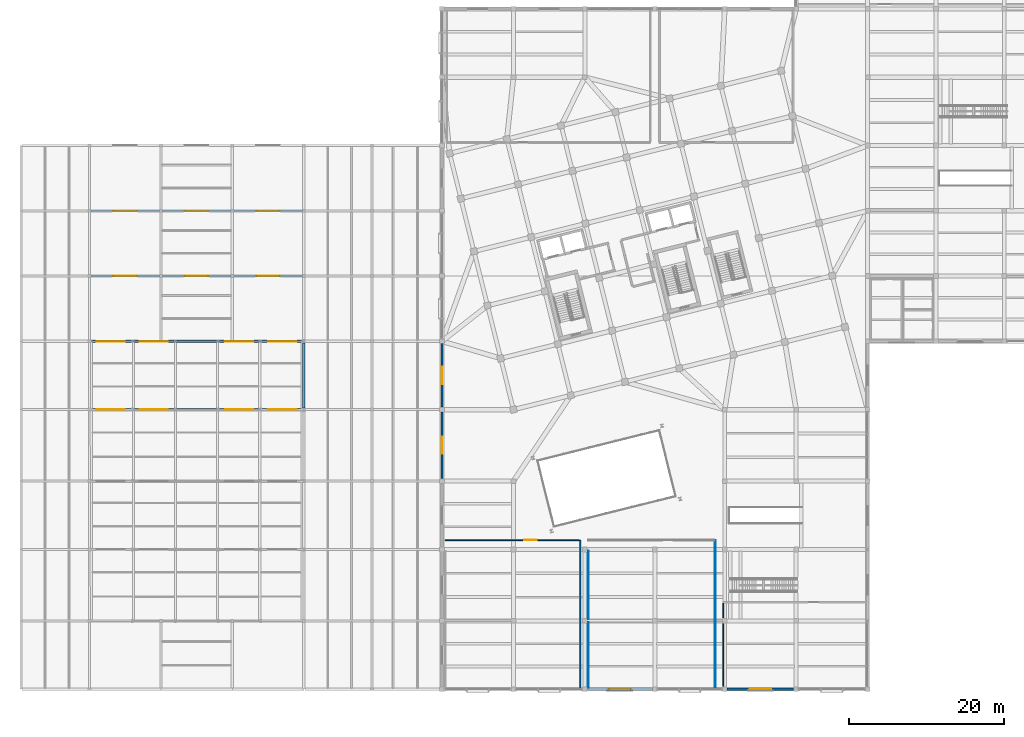
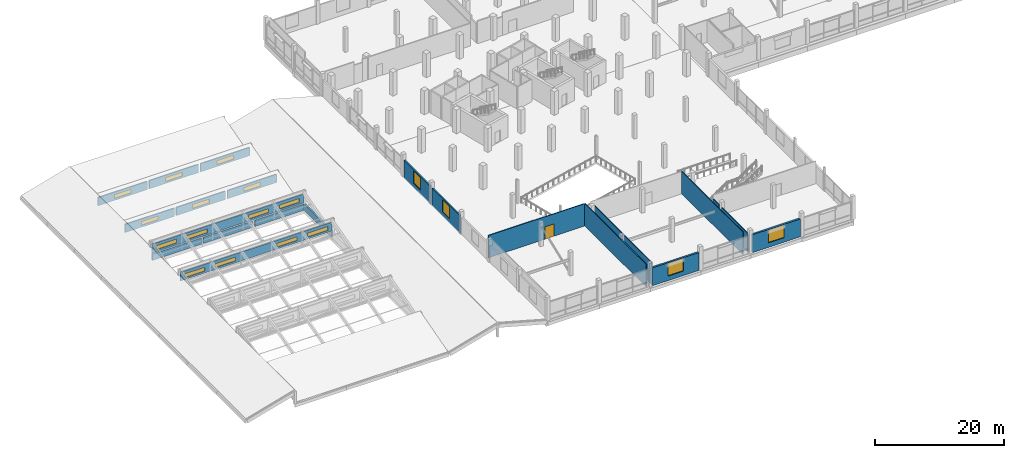
# One storey, part 65 of 77: 23 walls, 18 windows, 1 door, 19 openings.
"""IFC4 building model written with IfcOpenShell, lengths in metres."""

from ifc_helpers import new_model, si_unit, direction, frame, frame_2d, origin, place, context, subcontext, project, spatial, rectangle, extrude, material, layer, layer_set, type_object, element, fill, save


model = new_model("IFC4")

# Units and contexts
model_context = context("Model", 3, precision=1e-05, world=origin(), true_north=direction((0.0, 1.0)))
body_context = subcontext(model_context, "Body", "Model", "MODEL_VIEW")
ifc_project = project(units=[si_unit("LENGTHUNIT", "METRE"), si_unit("AREAUNIT", "SQUARE_METRE"), si_unit("VOLUMEUNIT", "CUBIC_METRE"), si_unit("PLANEANGLEUNIT", "RADIAN"), si_unit("MASSUNIT", "GRAM", prefix="KILO")], contexts=[model_context])

# Site, building, storey
site_placement = place(None, origin())
site = spatial("IfcSite", under=ifc_project, at=site_placement, CompositionType="ELEMENT")
building_placement = place(site_placement, origin())
building = spatial("IfcBuilding", under=site, at=building_placement, Name="Meriwether Solvik Hall", CompositionType="ELEMENT")
storey_placement = place(building_placement, frame((0.0, 0.0, 9.89990234375)))
storey = spatial("IfcBuildingStorey", under=building, at=storey_placement, Name="L02", CompositionType="ELEMENT", Elevation=9.89990234375)

# Wall, opening, window
ifc_material_1 = material(Name="Terracotta Cladding on Concrete C40/50", Category="masonry")
ifc_layer_1 = layer(ifc_material_1, 0.2548828125)
ifc_layer_set_1 = layer_set([ifc_layer_1], Name="Terracotta Cladding on Concrete C40/50")
wall_type_1 = type_object("IfcWallType", Name="WALL-EXT-255", PredefinedType="SOLIDWALL", material=ifc_layer_set_1)
wall_1_placement = place(storey_placement, frame((59.39990234375, 32.31201171875, 0.0), z_axis=(0.0, 0.0, 1.0), x_axis=(0.0, 1.0, 0.0)))
wall_1 = element("IfcWall", 1, at=wall_1_placement, inside=storey, type_object=wall_type_1, Name="L02 W Wing Facade Wall Y7_4_27", PredefinedType="SOLIDWALL", context=body_context, shape_type="SweptSolid", body=[
    extrude(rectangle(XDim=8.575927734375, YDim=0.2548828125, at=frame_2d((4.2880859375, 0.0))), origin(), (0.0, 0.0, 1.0), 3.39501953125),
])
opening_1_placement = place(wall_1_placement, frame((3.18798828125, 0.0, 0.85009765625)))
opening_1 = element("IfcOpeningElement", 2, at=opening_1_placement, cuts=wall_1, Name="Opening WN-175", PredefinedType="OPENING", context=body_context, shape_type="SweptSolid", body=[
    extrude(rectangle(XDim=2.199951171875, YDim=2.300048828125, at=frame_2d((1.10009765625, 1.14990234375))), frame((0.0, 0.139404296875, 0.0), z_axis=(0.0, -1.0, 0.0), x_axis=(1.0, 0.0, 0.0)), (0.0, 0.0, 1.0), 0.27880859375),
])
ifc_material_2 = material(Name="Thermally Broken Anodised Aluminium and Triple Low-E Glass", Category="aluminium")
window_type_1 = type_object("IfcWindowType", Name="WIN-POD-WEST-220X230", PartitioningType="SINGLE_PANEL", PredefinedType="WINDOW", material=ifc_material_2)
window_1_placement = place(opening_1_placement, origin())
window_1 = element("IfcWindow", 3, at=window_1_placement, inside=storey, type_object=window_type_1, Name="L02 W Window Y7_4_27", OverallHeight=2.300048828125, OverallWidth=2.199951171875, PartitioningType="SINGLE_PANEL", PredefinedType="WINDOW", context=body_context, shape_type="SweptSolid", body=[
    extrude(rectangle(XDim=2.199951171875, YDim=2.300048828125, at=frame_2d((1.10009765625, 1.14990234375))), frame((0.0, 0.030029296875, 0.0), z_axis=(0.0, -1.0, 0.0), x_axis=(1.0, 0.0, 0.0)), (0.0, 0.0, 1.0), 0.06005859375),
])
fill(opening_1, window_1)

wall_2_placement = place(storey_placement, frame((59.39990234375, 41.511962890625, 0.0), z_axis=(0.0, 0.0, 1.0), x_axis=(0.0, 1.0, 0.0)))
wall_2 = element("IfcWall", 4, at=wall_2_placement, inside=storey, type_object=wall_type_1, Name="L02 W Wing Facade Wall Y7_5_28", PredefinedType="SOLIDWALL", context=body_context, shape_type="SweptSolid", body=[
    extrude(rectangle(XDim=8.176025390625, YDim=0.2548828125, at=frame_2d((4.087890625, 0.0))), origin(), (0.0, 0.0, 1.0), 3.39501953125),
])
opening_2_placement = place(wall_2_placement, frame((2.988037109375, 0.0, 0.85009765625)))
opening_2 = element("IfcOpeningElement", 5, at=opening_2_placement, cuts=wall_2, Name="Opening WN-175", PredefinedType="OPENING", context=body_context, shape_type="SweptSolid", body=[
    extrude(rectangle(XDim=2.199951171875, YDim=2.300048828125, at=frame_2d((1.10009765625, 1.14990234375))), frame((0.0, 0.139404296875, 0.0), z_axis=(0.0, -1.0, 0.0), x_axis=(1.0, 0.0, 0.0)), (0.0, 0.0, 1.0), 0.27880859375),
])
window_2_placement = place(opening_2_placement, origin())
window_2 = element("IfcWindow", 6, at=window_2_placement, inside=storey, type_object=window_type_1, Name="L02 W Window Y7_5_28", OverallHeight=2.300048828125, OverallWidth=2.199951171875, PartitioningType="SINGLE_PANEL", PredefinedType="WINDOW", context=body_context, shape_type="SweptSolid", body=[
    extrude(rectangle(XDim=2.199951171875, YDim=2.300048828125, at=frame_2d((1.10009765625, 1.14990234375))), frame((0.0, 0.030029296875, 0.0), z_axis=(0.0, -1.0, 0.0), x_axis=(1.0, 0.0, 0.0)), (0.0, 0.0, 1.0), 0.06005859375),
])
fill(opening_2, window_2)

# Walls
ifc_material_3 = material(Name="Cross-Laminated Timber and Mineral-Wool Insulation", Category="wood")
ifc_layer_2 = layer(ifc_material_3, 0.2900390625)
ifc_layer_set_2 = layer_set([ifc_layer_2], Name="Cross-Laminated Timber and Mineral-Wool Insulation")
wall_type_2 = type_object("IfcWallType", Name="WALL-EXT-290", PredefinedType="SOLIDWALL", material=ifc_layer_set_2)
for number, where, z_axis, x_axis, name in (
    (7, (14.18994140625, 50.0, 0.0), (0.0, 0.0, 1.0), (1.0, 0.0, 0.0), "Sanctuary Clerestory Wall N1"),
    (8, (23.389892578125, 50.0, 0.0), (0.0, 0.0, 1.0), (1.0, 0.0, 0.0), "Sanctuary Clerestory Wall N2"),
):
    element("IfcWall", number, at=place(storey_placement, frame(where, z_axis=z_axis, x_axis=x_axis)), inside=storey, type_object=wall_type_2, Name=name, PredefinedType="SOLIDWALL", context=body_context, shape_type="SweptSolid", body=[
        extrude(rectangle(XDim=8.820068359375, YDim=0.2900390625, at=frame_2d((4.41015625, 0.0))), origin(), (0.0, 0.0, 1.0), 1.2001953125),
    ])
wall_3_placement = place(storey_placement, frame((32.590087890625, 50.0, 0.0), z_axis=(0.0, 0.0, 1.0), x_axis=(1.0, 0.0, 0.0)))
element("IfcWall", 9, at=wall_3_placement, inside=storey, type_object=wall_type_2, Name="Sanctuary Clerestory Wall N3", PredefinedType="SOLIDWALL", context=body_context, shape_type="SweptSolid", body=[
    extrude(rectangle(XDim=8.81982421875, YDim=0.2900390625, at=frame_2d((4.409912109375, 0.0))), origin(), (0.0, 0.0, 1.0), 1.2001953125),
])
wall_4_placement = place(storey_placement, frame((41.60009765625, 41.389892578125, 0.0), z_axis=(0.0, 0.0, 1.0), x_axis=(0.0, 1.0, 0.0)))
element("IfcWall", 10, at=wall_4_placement, inside=storey, type_object=wall_type_2, Name="Sanctuary Clerestory Wall E4", PredefinedType="SOLIDWALL", context=body_context, shape_type="SweptSolid", body=[
    extrude(rectangle(XDim=8.420166015625, YDim=0.2900390625, at=frame_2d((4.2099609375, 0.0))), origin(), (0.0, 0.0, 1.0), 1.2001953125),
])

# Wall, opening, window
ifc_material_4 = material(Name="Concrete C40/50 Precast", Category="concrete")
ifc_layer_3 = layer(ifc_material_4, 0.340087890625)
ifc_layer_set_3 = layer_set([ifc_layer_3], Name="Concrete C40/50 Precast")
wall_type_3 = type_object("IfcWallType", Name="WALL-EXT-340", PredefinedType="SOLIDWALL", material=ifc_layer_set_3)
wall_5_placement = place(storey_placement, frame((86.488037109375, 5.199951171875, 0.0), z_axis=(0.0, 0.0, 1.0), x_axis=(-1.0, 0.0, 0.0)))
wall_5 = element("IfcWall", 11, at=wall_5_placement, inside=storey, type_object=wall_type_3, Name="L02 S Wing Facade Wall XA_9_2", PredefinedType="SOLIDWALL", context=body_context, shape_type="SweptSolid", body=[
    extrude(rectangle(XDim=8.3759765625, YDim=0.340087890625, at=frame_2d((4.18798828125, 0.0))), origin(), (0.0, 0.0, 1.0), 3.39501953125),
])
opening_3_placement = place(wall_5_placement, frame((2.7880859375, 0.0, 0.85009765625)))
opening_3 = element("IfcOpeningElement", 12, at=opening_3_placement, cuts=wall_5, Name="Opening WN-165", PredefinedType="OPENING", context=body_context, shape_type="SweptSolid", body=[
    extrude(rectangle(XDim=2.800048828125, YDim=2.449951171875, at=frame_2d((1.39990234375, 1.22509765625))), frame((0.0, 0.18212890625, 0.0), z_axis=(0.0, -1.0, 0.0), x_axis=(1.0, 0.0, 0.0)), (0.0, 0.0, 1.0), 0.364013671875),
])
ifc_material_5 = material(Name="Thermally Broken Anodised Aluminium and Triple Low-E Glass", Category="aluminium")
window_type_2 = type_object("IfcWindowType", Name="WIN-POD-SOUTH-280X245", PartitioningType="SINGLE_PANEL", PredefinedType="WINDOW", material=ifc_material_5)
window_3_placement = place(opening_3_placement, origin())
window_3 = element("IfcWindow", 13, at=window_3_placement, inside=storey, type_object=window_type_2, Name="L02 S Window XA_9_2", OverallHeight=2.449951171875, OverallWidth=2.800048828125, PartitioningType="SINGLE_PANEL", PredefinedType="WINDOW", context=body_context, shape_type="SweptSolid", body=[
    extrude(rectangle(XDim=2.800048828125, YDim=2.449951171875, at=frame_2d((1.39990234375, 1.22509765625))), frame((0.0, 0.030029296875, 0.0), z_axis=(0.0, -1.0, 0.0), x_axis=(1.0, 0.0, 0.0)), (0.0, 0.0, 1.0), 0.06005859375),
])
fill(opening_3, window_3)

wall_6_placement = place(storey_placement, frame((104.68798828125, 5.199951171875, 0.0), z_axis=(0.0, 0.0, 1.0), x_axis=(-1.0, 0.0, 0.0)))
wall_6 = element("IfcWall", 14, at=wall_6_placement, inside=storey, type_object=wall_type_3, Name="L02 S Wing Facade Wall XA_11_4", PredefinedType="SOLIDWALL", context=body_context, shape_type="SweptSolid", body=[
    extrude(rectangle(XDim=8.575927734375, YDim=0.340087890625, at=frame_2d((4.2880859375, 0.0))), origin(), (0.0, 0.0, 1.0), 3.39501953125),
])
opening_4_placement = place(wall_6_placement, frame((2.887939453125, 0.0, 0.85009765625)))
opening_4 = element("IfcOpeningElement", 15, at=opening_4_placement, cuts=wall_6, Name="Opening WN-165", PredefinedType="OPENING", context=body_context, shape_type="SweptSolid", body=[
    extrude(rectangle(XDim=2.800048828125, YDim=2.449951171875, at=frame_2d((1.39990234375, 1.22509765625))), frame((0.0, 0.18212890625, 0.0), z_axis=(0.0, -1.0, 0.0), x_axis=(1.0, 0.0, 0.0)), (0.0, 0.0, 1.0), 0.364013671875),
])
window_4_placement = place(opening_4_placement, origin())
window_4 = element("IfcWindow", 16, at=window_4_placement, inside=storey, type_object=window_type_2, Name="L02 S Window XA_11_4", OverallHeight=2.449951171875, OverallWidth=2.800048828125, PartitioningType="SINGLE_PANEL", PredefinedType="WINDOW", context=body_context, shape_type="SweptSolid", body=[
    extrude(rectangle(XDim=2.800048828125, YDim=2.449951171875, at=frame_2d((1.39990234375, 1.22509765625))), frame((0.0, 0.030029296875, 0.0), z_axis=(0.0, -1.0, 0.0), x_axis=(1.0, 0.0, 0.0)), (0.0, 0.0, 1.0), 0.06005859375),
])
fill(opening_4, window_4)

ifc_material_6 = material(Name="Cross-Laminated Timber and Polyisocyanurate Insulation", Category="wood")
ifc_layer_4 = layer(ifc_material_6, 0.22998046875)
ifc_layer_set_4 = layer_set([ifc_layer_4], Name="Cross-Laminated Timber and Polyisocyanurate Insulation")
wall_type_4 = type_object("IfcWallType", Name="WALL-MON-230", PredefinedType="SOLIDWALL", material=ifc_layer_set_4)
wall_7_placement = place(storey_placement, frame((23.010009765625, 58.39990234375, 0.175048828125), z_axis=(0.0, 0.0, 1.0), x_axis=(-1.0, 0.0, 0.0)))
wall_7 = element("IfcWall", 17, at=wall_7_placement, inside=storey, type_object=wall_type_4, Name="Sawtooth Monitor Clerestory Wall w1_north_s1_b1", PredefinedType="SOLIDWALL", context=body_context, shape_type="SweptSolid", body=[
    extrude(rectangle(XDim=8.820068359375, YDim=0.22998046875, at=frame_2d((4.41015625, 0.0))), origin(), (0.0, 0.0, 1.0), 1.555908203125),
])
opening_5_placement = place(wall_7_placement, frame((2.909912109375, 0.0, 0.35009765625)))
opening_5 = element("IfcOpeningElement", 18, at=opening_5_placement, cuts=wall_7, Name="Opening SK-164", PredefinedType="OPENING", context=body_context, shape_type="SweptSolid", body=[
    extrude(rectangle(XDim=3.0, YDim=0.75, at=frame_2d((1.5, 0.375))), frame((0.0, 0.126953125, 0.0), z_axis=(0.0, -1.0, 0.0), x_axis=(1.0, 0.0, 0.0)), (0.0, 0.0, 1.0), 0.25390625),
])
ifc_material_7 = material(Name="Thermally Broken Anodised Aluminium and Triple Low-E Glass", Category="aluminium")
window_type_3 = type_object("IfcWindowType", Name="SKY-MON-300X075", PartitioningType="SINGLE_PANEL", PredefinedType="SKYLIGHT", material=ifc_material_7)
window_5_placement = place(opening_5_placement, origin())
window_5 = element("IfcWindow", 19, at=window_5_placement, inside=storey, type_object=window_type_3, Name="Sawtooth Northlight Skylight w1_north_s1_b1-1", OverallHeight=0.75, OverallWidth=3.0, PartitioningType="SINGLE_PANEL", PredefinedType="SKYLIGHT", context=body_context, shape_type="SweptSolid", body=[
    extrude(rectangle(XDim=3.0, YDim=0.75, at=frame_2d((1.5, 0.375))), frame((0.0, 0.030029296875, 0.0), z_axis=(0.0, -1.0, 0.0), x_axis=(1.0, 0.0, 0.0)), (0.0, 0.0, 1.0), 0.06005859375),
])
fill(opening_5, window_5)

wall_8_placement = place(storey_placement, frame((32.2099609375, 58.39990234375, 0.175048828125), z_axis=(0.0, 0.0, 1.0), x_axis=(-1.0, 0.0, 0.0)))
wall_8 = element("IfcWall", 20, at=wall_8_placement, inside=storey, type_object=wall_type_4, Name="Sawtooth Monitor Clerestory Wall w1_north_s1_b2", PredefinedType="SOLIDWALL", context=body_context, shape_type="SweptSolid", body=[
    extrude(rectangle(XDim=8.820068359375, YDim=0.22998046875, at=frame_2d((4.41015625, 0.0))), origin(), (0.0, 0.0, 1.0), 1.555908203125),
])
opening_6_placement = place(wall_8_placement, frame((2.909912109375, 0.0, 0.35009765625)))
opening_6 = element("IfcOpeningElement", 21, at=opening_6_placement, cuts=wall_8, Name="Opening SK-164", PredefinedType="OPENING", context=body_context, shape_type="SweptSolid", body=[
    extrude(rectangle(XDim=3.0, YDim=0.75, at=frame_2d((1.5, 0.375))), frame((0.0, 0.126953125, 0.0), z_axis=(0.0, -1.0, 0.0), x_axis=(1.0, 0.0, 0.0)), (0.0, 0.0, 1.0), 0.25390625),
])
window_6_placement = place(opening_6_placement, origin())
window_6 = element("IfcWindow", 22, at=window_6_placement, inside=storey, type_object=window_type_3, Name="Sawtooth Northlight Skylight w1_north_s1_b2-1", OverallHeight=0.75, OverallWidth=3.0, PartitioningType="SINGLE_PANEL", PredefinedType="SKYLIGHT", context=body_context, shape_type="SweptSolid", body=[
    extrude(rectangle(XDim=3.0, YDim=0.75, at=frame_2d((1.5, 0.375))), frame((0.0, 0.030029296875, 0.0), z_axis=(0.0, -1.0, 0.0), x_axis=(1.0, 0.0, 0.0)), (0.0, 0.0, 1.0), 0.06005859375),
])
fill(opening_6, window_6)

wall_9_placement = place(storey_placement, frame((41.409912109375, 58.39990234375, 0.175048828125), z_axis=(0.0, 0.0, 1.0), x_axis=(-1.0, 0.0, 0.0)))
wall_9 = element("IfcWall", 23, at=wall_9_placement, inside=storey, type_object=wall_type_4, Name="Sawtooth Monitor Clerestory Wall w1_north_s1_b3", PredefinedType="SOLIDWALL", context=body_context, shape_type="SweptSolid", body=[
    extrude(rectangle(XDim=8.81982421875, YDim=0.22998046875, at=frame_2d((4.409912109375, 0.0))), origin(), (0.0, 0.0, 1.0), 1.555908203125),
])
opening_7_placement = place(wall_9_placement, frame((2.909912109375, 0.0, 0.35009765625)))
opening_7 = element("IfcOpeningElement", 24, at=opening_7_placement, cuts=wall_9, Name="Opening SK-164", PredefinedType="OPENING", context=body_context, shape_type="SweptSolid", body=[
    extrude(rectangle(XDim=3.0, YDim=0.75, at=frame_2d((1.5, 0.375))), frame((0.0, 0.126953125, 0.0), z_axis=(0.0, -1.0, 0.0), x_axis=(1.0, 0.0, 0.0)), (0.0, 0.0, 1.0), 0.25390625),
])
window_7_placement = place(opening_7_placement, origin())
window_7 = element("IfcWindow", 25, at=window_7_placement, inside=storey, type_object=window_type_3, Name="Sawtooth Northlight Skylight w1_north_s1_b3-1", OverallHeight=0.75, OverallWidth=3.0, PartitioningType="SINGLE_PANEL", PredefinedType="SKYLIGHT", context=body_context, shape_type="SweptSolid", body=[
    extrude(rectangle(XDim=3.0, YDim=0.75, at=frame_2d((1.5, 0.375))), frame((0.0, 0.030029296875, 0.0), z_axis=(0.0, -1.0, 0.0), x_axis=(1.0, 0.0, 0.0)), (0.0, 0.0, 1.0), 0.06005859375),
])
fill(opening_7, window_7)

wall_10_placement = place(storey_placement, frame((23.010009765625, 66.800048828125, 0.175048828125), z_axis=(0.0, 0.0, 1.0), x_axis=(-1.0, 0.0, 0.0)))
wall_10 = element("IfcWall", 26, at=wall_10_placement, inside=storey, type_object=wall_type_4, Name="Sawtooth Monitor Clerestory Wall w1_north_s2_b1", PredefinedType="SOLIDWALL", context=body_context, shape_type="SweptSolid", body=[
    extrude(rectangle(XDim=8.820068359375, YDim=0.22998046875, at=frame_2d((4.41015625, 0.0))), origin(), (0.0, 0.0, 1.0), 1.555908203125),
])
opening_8_placement = place(wall_10_placement, frame((2.909912109375, 0.0, 0.35009765625)))
opening_8 = element("IfcOpeningElement", 27, at=opening_8_placement, cuts=wall_10, Name="Opening SK-164", PredefinedType="OPENING", context=body_context, shape_type="SweptSolid", body=[
    extrude(rectangle(XDim=3.0, YDim=0.75, at=frame_2d((1.5, 0.375))), frame((0.0, 0.126953125, 0.0), z_axis=(0.0, -1.0, 0.0), x_axis=(1.0, 0.0, 0.0)), (0.0, 0.0, 1.0), 0.25390625),
])
window_8_placement = place(opening_8_placement, origin())
window_8 = element("IfcWindow", 28, at=window_8_placement, inside=storey, type_object=window_type_3, Name="Sawtooth Northlight Skylight w1_north_s2_b1-1", OverallHeight=0.75, OverallWidth=3.0, PartitioningType="SINGLE_PANEL", PredefinedType="SKYLIGHT", context=body_context, shape_type="SweptSolid", body=[
    extrude(rectangle(XDim=3.0, YDim=0.75, at=frame_2d((1.5, 0.375))), frame((0.0, 0.030029296875, 0.0), z_axis=(0.0, -1.0, 0.0), x_axis=(1.0, 0.0, 0.0)), (0.0, 0.0, 1.0), 0.06005859375),
])
fill(opening_8, window_8)

wall_11_placement = place(storey_placement, frame((32.2099609375, 66.800048828125, 0.175048828125), z_axis=(0.0, 0.0, 1.0), x_axis=(-1.0, 0.0, 0.0)))
wall_11 = element("IfcWall", 29, at=wall_11_placement, inside=storey, type_object=wall_type_4, Name="Sawtooth Monitor Clerestory Wall w1_north_s2_b2", PredefinedType="SOLIDWALL", context=body_context, shape_type="SweptSolid", body=[
    extrude(rectangle(XDim=8.820068359375, YDim=0.22998046875, at=frame_2d((4.41015625, 0.0))), origin(), (0.0, 0.0, 1.0), 1.555908203125),
])
opening_9_placement = place(wall_11_placement, frame((2.909912109375, 0.0, 0.35009765625)))
opening_9 = element("IfcOpeningElement", 30, at=opening_9_placement, cuts=wall_11, Name="Opening SK-164", PredefinedType="OPENING", context=body_context, shape_type="SweptSolid", body=[
    extrude(rectangle(XDim=3.0, YDim=0.75, at=frame_2d((1.5, 0.375))), frame((0.0, 0.126953125, 0.0), z_axis=(0.0, -1.0, 0.0), x_axis=(1.0, 0.0, 0.0)), (0.0, 0.0, 1.0), 0.25390625),
])
window_9_placement = place(opening_9_placement, origin())
window_9 = element("IfcWindow", 31, at=window_9_placement, inside=storey, type_object=window_type_3, Name="Sawtooth Northlight Skylight w1_north_s2_b2-1", OverallHeight=0.75, OverallWidth=3.0, PartitioningType="SINGLE_PANEL", PredefinedType="SKYLIGHT", context=body_context, shape_type="SweptSolid", body=[
    extrude(rectangle(XDim=3.0, YDim=0.75, at=frame_2d((1.5, 0.375))), frame((0.0, 0.030029296875, 0.0), z_axis=(0.0, -1.0, 0.0), x_axis=(1.0, 0.0, 0.0)), (0.0, 0.0, 1.0), 0.06005859375),
])
fill(opening_9, window_9)

wall_12_placement = place(storey_placement, frame((41.409912109375, 66.800048828125, 0.175048828125), z_axis=(0.0, 0.0, 1.0), x_axis=(-1.0, 0.0, 0.0)))
wall_12 = element("IfcWall", 32, at=wall_12_placement, inside=storey, type_object=wall_type_4, Name="Sawtooth Monitor Clerestory Wall w1_north_s2_b3", PredefinedType="SOLIDWALL", context=body_context, shape_type="SweptSolid", body=[
    extrude(rectangle(XDim=8.81982421875, YDim=0.22998046875, at=frame_2d((4.409912109375, 0.0))), origin(), (0.0, 0.0, 1.0), 1.555908203125),
])
opening_10_placement = place(wall_12_placement, frame((2.909912109375, 0.0, 0.35009765625)))
opening_10 = element("IfcOpeningElement", 33, at=opening_10_placement, cuts=wall_12, Name="Opening SK-164", PredefinedType="OPENING", context=body_context, shape_type="SweptSolid", body=[
    extrude(rectangle(XDim=3.0, YDim=0.75, at=frame_2d((1.5, 0.375))), frame((0.0, 0.126953125, 0.0), z_axis=(0.0, -1.0, 0.0), x_axis=(1.0, 0.0, 0.0)), (0.0, 0.0, 1.0), 0.25390625),
])
window_10_placement = place(opening_10_placement, origin())
window_10 = element("IfcWindow", 34, at=window_10_placement, inside=storey, type_object=window_type_3, Name="Sawtooth Northlight Skylight w1_north_s2_b3-1", OverallHeight=0.75, OverallWidth=3.0, PartitioningType="SINGLE_PANEL", PredefinedType="SKYLIGHT", context=body_context, shape_type="SweptSolid", body=[
    extrude(rectangle(XDim=3.0, YDim=0.75, at=frame_2d((1.5, 0.375))), frame((0.0, 0.030029296875, 0.0), z_axis=(0.0, -1.0, 0.0), x_axis=(1.0, 0.0, 0.0)), (0.0, 0.0, 1.0), 0.06005859375),
])
fill(opening_10, window_10)

# Wall, openings, windows
wall_13_placement = place(storey_placement, frame((41.409912109375, 41.199951171875, 1.420166015625), z_axis=(0.0, 0.0, 1.0), x_axis=(-1.0, 0.0, 0.0)))
wall_13 = element("IfcWall", 35, at=wall_13_placement, inside=storey, type_object=wall_type_4, Name="Sawtooth Monitor Clerestory Wall sanc_saw_3", PredefinedType="SOLIDWALL", context=body_context, shape_type="SweptSolid", body=[
    extrude(rectangle(XDim=27.219970703125, YDim=0.22998046875, at=frame_2d((13.60986328125, 0.0))), origin(), (0.0, 0.0, 1.0), 1.659912109375),
])
opening_11_placement = place(wall_13_placement, frame((0.77001953125, 0.0, 0.35009765625)))
opening_11 = element("IfcOpeningElement", 36, at=opening_11_placement, cuts=wall_13, Name="Opening SK-130", PredefinedType="OPENING", context=body_context, shape_type="SweptSolid", body=[
    extrude(rectangle(XDim=3.60009765625, YDim=0.75, at=frame_2d((1.800048828125, 0.375))), frame((0.0, 0.126953125, 0.0), z_axis=(0.0, -1.0, 0.0), x_axis=(1.0, 0.0, 0.0)), (0.0, 0.0, 1.0), 0.25390625),
])
opening_12_placement = place(wall_13_placement, frame((6.2900390625, 0.0, 0.35009765625)))
opening_12 = element("IfcOpeningElement", 37, at=opening_12_placement, cuts=wall_13, Name="Opening SK-130", PredefinedType="OPENING", context=body_context, shape_type="SweptSolid", body=[
    extrude(rectangle(XDim=3.60009765625, YDim=0.75, at=frame_2d((1.800048828125, 0.375))), frame((0.0, 0.126953125, 0.0), z_axis=(0.0, -1.0, 0.0), x_axis=(1.0, 0.0, 0.0)), (0.0, 0.0, 1.0), 0.25390625),
])
opening_13_placement = place(wall_13_placement, frame((17.330078125, 0.0, 0.35009765625)))
opening_13 = element("IfcOpeningElement", 38, at=opening_13_placement, cuts=wall_13, Name="Opening SK-130", PredefinedType="OPENING", context=body_context, shape_type="SweptSolid", body=[
    extrude(rectangle(XDim=3.60009765625, YDim=0.75, at=frame_2d((1.800048828125, 0.375))), frame((0.0, 0.126953125, 0.0), z_axis=(0.0, -1.0, 0.0), x_axis=(1.0, 0.0, 0.0)), (0.0, 0.0, 1.0), 0.25390625),
])
opening_14_placement = place(wall_13_placement, frame((22.85009765625, 0.0, 0.35009765625)))
opening_14 = element("IfcOpeningElement", 39, at=opening_14_placement, cuts=wall_13, Name="Opening SK-130", PredefinedType="OPENING", context=body_context, shape_type="SweptSolid", body=[
    extrude(rectangle(XDim=3.60009765625, YDim=0.75, at=frame_2d((1.800048828125, 0.375))), frame((0.0, 0.126953125, 0.0), z_axis=(0.0, -1.0, 0.0), x_axis=(1.0, 0.0, 0.0)), (0.0, 0.0, 1.0), 0.25390625),
])
ifc_material_8 = material(Name="Thermally Broken Anodised Aluminium and Triple Low-E Glass", Category="aluminium")
window_type_4 = type_object("IfcWindowType", Name="SKY-MON-360X075", PartitioningType="SINGLE_PANEL", PredefinedType="SKYLIGHT", material=ifc_material_8)
window_11_placement = place(opening_11_placement, origin())
window_11 = element("IfcWindow", 40, at=window_11_placement, inside=storey, type_object=window_type_4, Name="Sawtooth Northlight Skylight sanc_saw_3-1", OverallHeight=0.75, OverallWidth=3.60009765625, PartitioningType="SINGLE_PANEL", PredefinedType="SKYLIGHT", context=body_context, shape_type="SweptSolid", body=[
    extrude(rectangle(XDim=3.60009765625, YDim=0.75, at=frame_2d((1.800048828125, 0.375))), frame((0.0, 0.030029296875, 0.0), z_axis=(0.0, -1.0, 0.0), x_axis=(1.0, 0.0, 0.0)), (0.0, 0.0, 1.0), 0.06005859375),
])
fill(opening_11, window_11)
window_12_placement = place(opening_12_placement, origin())
window_12 = element("IfcWindow", 41, at=window_12_placement, inside=storey, type_object=window_type_4, Name="Sawtooth Northlight Skylight sanc_saw_3-2", OverallHeight=0.75, OverallWidth=3.60009765625, PartitioningType="SINGLE_PANEL", PredefinedType="SKYLIGHT", context=body_context, shape_type="SweptSolid", body=[
    extrude(rectangle(XDim=3.60009765625, YDim=0.75, at=frame_2d((1.800048828125, 0.375))), frame((0.0, 0.030029296875, 0.0), z_axis=(0.0, -1.0, 0.0), x_axis=(1.0, 0.0, 0.0)), (0.0, 0.0, 1.0), 0.06005859375),
])
fill(opening_12, window_12)
window_13_placement = place(opening_13_placement, origin())
window_13 = element("IfcWindow", 42, at=window_13_placement, inside=storey, type_object=window_type_4, Name="Sawtooth Northlight Skylight sanc_saw_3-3", OverallHeight=0.75, OverallWidth=3.60009765625, PartitioningType="SINGLE_PANEL", PredefinedType="SKYLIGHT", context=body_context, shape_type="SweptSolid", body=[
    extrude(rectangle(XDim=3.60009765625, YDim=0.75, at=frame_2d((1.800048828125, 0.375))), frame((0.0, 0.030029296875, 0.0), z_axis=(0.0, -1.0, 0.0), x_axis=(1.0, 0.0, 0.0)), (0.0, 0.0, 1.0), 0.06005859375),
])
fill(opening_13, window_13)
window_14_placement = place(opening_14_placement, origin())
window_14 = element("IfcWindow", 43, at=window_14_placement, inside=storey, type_object=window_type_4, Name="Sawtooth Northlight Skylight sanc_saw_3-4", OverallHeight=0.75, OverallWidth=3.60009765625, PartitioningType="SINGLE_PANEL", PredefinedType="SKYLIGHT", context=body_context, shape_type="SweptSolid", body=[
    extrude(rectangle(XDim=3.60009765625, YDim=0.75, at=frame_2d((1.800048828125, 0.375))), frame((0.0, 0.030029296875, 0.0), z_axis=(0.0, -1.0, 0.0), x_axis=(1.0, 0.0, 0.0)), (0.0, 0.0, 1.0), 0.06005859375),
])
fill(opening_14, window_14)

wall_14_placement = place(storey_placement, frame((41.409912109375, 50.0, 1.420166015625), z_axis=(0.0, 0.0, 1.0), x_axis=(-1.0, 0.0, 0.0)))
wall_14 = element("IfcWall", 44, at=wall_14_placement, inside=storey, type_object=wall_type_4, Name="Sawtooth Monitor Clerestory Wall sanc_saw_4", PredefinedType="SOLIDWALL", context=body_context, shape_type="SweptSolid", body=[
    extrude(rectangle(XDim=27.219970703125, YDim=0.22998046875, at=frame_2d((13.60986328125, 0.0))), origin(), (0.0, 0.0, 1.0), 1.659912109375),
])
opening_15_placement = place(wall_14_placement, frame((0.77001953125, 0.0, 0.35009765625)))
opening_15 = element("IfcOpeningElement", 45, at=opening_15_placement, cuts=wall_14, Name="Opening SK-130", PredefinedType="OPENING", context=body_context, shape_type="SweptSolid", body=[
    extrude(rectangle(XDim=3.60009765625, YDim=0.75, at=frame_2d((1.800048828125, 0.375))), frame((0.0, 0.126953125, 0.0), z_axis=(0.0, -1.0, 0.0), x_axis=(1.0, 0.0, 0.0)), (0.0, 0.0, 1.0), 0.25390625),
])
opening_16_placement = place(wall_14_placement, frame((6.2900390625, 0.0, 0.35009765625)))
opening_16 = element("IfcOpeningElement", 46, at=opening_16_placement, cuts=wall_14, Name="Opening SK-130", PredefinedType="OPENING", context=body_context, shape_type="SweptSolid", body=[
    extrude(rectangle(XDim=3.60009765625, YDim=0.75, at=frame_2d((1.800048828125, 0.375))), frame((0.0, 0.126953125, 0.0), z_axis=(0.0, -1.0, 0.0), x_axis=(1.0, 0.0, 0.0)), (0.0, 0.0, 1.0), 0.25390625),
])
opening_17_placement = place(wall_14_placement, frame((17.330078125, 0.0, 0.35009765625)))
opening_17 = element("IfcOpeningElement", 47, at=opening_17_placement, cuts=wall_14, Name="Opening SK-130", PredefinedType="OPENING", context=body_context, shape_type="SweptSolid", body=[
    extrude(rectangle(XDim=3.60009765625, YDim=0.75, at=frame_2d((1.800048828125, 0.375))), frame((0.0, 0.126953125, 0.0), z_axis=(0.0, -1.0, 0.0), x_axis=(1.0, 0.0, 0.0)), (0.0, 0.0, 1.0), 0.25390625),
])
opening_18_placement = place(wall_14_placement, frame((22.85009765625, 0.0, 0.35009765625)))
opening_18 = element("IfcOpeningElement", 48, at=opening_18_placement, cuts=wall_14, Name="Opening SK-130", PredefinedType="OPENING", context=body_context, shape_type="SweptSolid", body=[
    extrude(rectangle(XDim=3.60009765625, YDim=0.75, at=frame_2d((1.800048828125, 0.375))), frame((0.0, 0.126953125, 0.0), z_axis=(0.0, -1.0, 0.0), x_axis=(1.0, 0.0, 0.0)), (0.0, 0.0, 1.0), 0.25390625),
])
window_15_placement = place(opening_15_placement, origin())
window_15 = element("IfcWindow", 49, at=window_15_placement, inside=storey, type_object=window_type_4, Name="Sawtooth Northlight Skylight sanc_saw_4-1", OverallHeight=0.75, OverallWidth=3.60009765625, PartitioningType="SINGLE_PANEL", PredefinedType="SKYLIGHT", context=body_context, shape_type="SweptSolid", body=[
    extrude(rectangle(XDim=3.60009765625, YDim=0.75, at=frame_2d((1.800048828125, 0.375))), frame((0.0, 0.030029296875, 0.0), z_axis=(0.0, -1.0, 0.0), x_axis=(1.0, 0.0, 0.0)), (0.0, 0.0, 1.0), 0.06005859375),
])
fill(opening_15, window_15)
window_16_placement = place(opening_16_placement, origin())
window_16 = element("IfcWindow", 50, at=window_16_placement, inside=storey, type_object=window_type_4, Name="Sawtooth Northlight Skylight sanc_saw_4-2", OverallHeight=0.75, OverallWidth=3.60009765625, PartitioningType="SINGLE_PANEL", PredefinedType="SKYLIGHT", context=body_context, shape_type="SweptSolid", body=[
    extrude(rectangle(XDim=3.60009765625, YDim=0.75, at=frame_2d((1.800048828125, 0.375))), frame((0.0, 0.030029296875, 0.0), z_axis=(0.0, -1.0, 0.0), x_axis=(1.0, 0.0, 0.0)), (0.0, 0.0, 1.0), 0.06005859375),
])
fill(opening_16, window_16)
window_17_placement = place(opening_17_placement, origin())
window_17 = element("IfcWindow", 51, at=window_17_placement, inside=storey, type_object=window_type_4, Name="Sawtooth Northlight Skylight sanc_saw_4-3", OverallHeight=0.75, OverallWidth=3.60009765625, PartitioningType="SINGLE_PANEL", PredefinedType="SKYLIGHT", context=body_context, shape_type="SweptSolid", body=[
    extrude(rectangle(XDim=3.60009765625, YDim=0.75, at=frame_2d((1.800048828125, 0.375))), frame((0.0, 0.030029296875, 0.0), z_axis=(0.0, -1.0, 0.0), x_axis=(1.0, 0.0, 0.0)), (0.0, 0.0, 1.0), 0.06005859375),
])
fill(opening_17, window_17)
window_18_placement = place(opening_18_placement, origin())
window_18 = element("IfcWindow", 52, at=window_18_placement, inside=storey, type_object=window_type_4, Name="Sawtooth Northlight Skylight sanc_saw_4-4", OverallHeight=0.75, OverallWidth=3.60009765625, PartitioningType="SINGLE_PANEL", PredefinedType="SKYLIGHT", context=body_context, shape_type="SweptSolid", body=[
    extrude(rectangle(XDim=3.60009765625, YDim=0.75, at=frame_2d((1.800048828125, 0.375))), frame((0.0, 0.030029296875, 0.0), z_axis=(0.0, -1.0, 0.0), x_axis=(1.0, 0.0, 0.0)), (0.0, 0.0, 1.0), 0.06005859375),
])
fill(opening_18, window_18)

# Walls
ifc_material_9 = material(Name="Gypsum Board Partition", Category="gypsum")
ifc_layer_5 = layer(ifc_material_9, 0.125)
ifc_layer_set_5 = layer_set([ifc_layer_5], Name="Gypsum Board Partition")
wall_type_5 = type_object("IfcWallType", Name="WALL-PART-125", PredefinedType="PARTITIONING", material=ifc_layer_set_5)
wall_15_placement = place(storey_placement, frame((94.60009765625, 5.300048828125, 0.0), z_axis=(0.0, 0.0, 1.0), x_axis=(0.0, 1.0, 0.0)))
element("IfcWall", 53, at=wall_15_placement, inside=storey, type_object=wall_type_5, Name="L02 Interior Partition fac_201b_e", PredefinedType="PARTITIONING", context=body_context, shape_type="SweptSolid", body=[
    extrude(rectangle(XDim=19.099853515625, YDim=0.125, at=frame_2d((9.5498046875, 0.0))), origin(), (0.0, 0.0, 1.0), 4.255126953125),
])
wall_16_placement = place(storey_placement, frame((78.199951171875, 23.01953125, 0.0), z_axis=(0.0, 0.0, 1.0), x_axis=(0.0, -1.0, 0.0)))
element("IfcWall", 54, at=wall_16_placement, inside=storey, type_object=wall_type_5, Name="L02 Interior Partition fac_201b_w", PredefinedType="PARTITIONING", context=body_context, shape_type="SweptSolid", body=[
    extrude(rectangle(XDim=8.8388671875, YDim=0.125, at=frame_2d((4.41943359375, 0.0))), origin(), (0.0, 0.0, 1.0), 4.255126953125),
])
wall_17_placement = place(storey_placement, frame((78.199951171875, 13.8193359375, 0.0), z_axis=(0.0, 0.0, 1.0), x_axis=(0.0, -1.0, 0.0)))
element("IfcWall", 55, at=wall_17_placement, inside=storey, type_object=wall_type_5, Name="L02 Interior Partition fac_201b_w_s2", PredefinedType="PARTITIONING", context=body_context, shape_type="SweptSolid", body=[
    extrude(rectangle(XDim=8.438720703125, YDim=0.125, at=frame_2d((4.21923828125, 0.0))), origin(), (0.0, 0.0, 1.0), 4.255126953125),
])
ifc_material_10 = material(Name="Gypsum Board Partition", Category="gypsum")
ifc_layer_6 = layer(ifc_material_10, 0.14990234375)
ifc_layer_set_6 = layer_set([ifc_layer_6], Name="Gypsum Board Partition")
wall_type_6 = type_object("IfcWallType", Name="WALL-PART-150", PredefinedType="PARTITIONING", material=ifc_layer_set_6)
wall_18_placement = place(storey_placement, frame((77.199951171875, 5.300048828125, 0.0), z_axis=(0.0, 0.0, 1.0), x_axis=(0.0, 1.0, 0.0)))
element("IfcWall", 56, at=wall_18_placement, inside=storey, type_object=wall_type_6, Name="L02 Interior Partition cls_201_e", PredefinedType="PARTITIONING", context=body_context, shape_type="SweptSolid", body=[
    extrude(rectangle(XDim=19.099853515625, YDim=0.14990234375, at=frame_2d((9.5498046875, 0.0))), origin(), (0.0, 0.0, 1.0), 4.255126953125),
])

# Wall, opening, door
wall_19_placement = place(storey_placement, frame((77.080078125, 24.39990234375, 0.0), z_axis=(0.0, 0.0, 1.0), x_axis=(-1.0, 0.0, 0.0)))
wall_19 = element("IfcWall", 57, at=wall_19_placement, inside=storey, type_object=wall_type_6, Name="L02 Interior Partition cls_201_n", PredefinedType="PARTITIONING", context=body_context, shape_type="SweptSolid", body=[
    extrude(rectangle(XDim=17.280029296875, YDim=0.14990234375, at=frame_2d((8.64013671875, 0.0))), origin(), (0.0, 0.0, 1.0), 4.255126953125),
])
opening_19_placement = place(wall_19_placement, frame((5.458984375, 0.0, 0.0)))
opening_19 = element("IfcOpeningElement", 58, at=opening_19_placement, cuts=wall_19, Name="Opening D-137", PredefinedType="OPENING", context=body_context, shape_type="SweptSolid", body=[
    extrude(rectangle(XDim=1.64990234375, YDim=2.35009765625, at=frame_2d((0.824951171875, 1.175048828125))), frame((0.0, 0.0869140625, 0.0), z_axis=(0.0, -1.0, 0.0), x_axis=(1.0, 0.0, 0.0)), (0.0, 0.0, 1.0), 0.173828125),
])
ifc_material_11 = material(Name="Laminated Vision Glass and Solid White Oak Timber", Category="wood")
door_type = type_object("IfcDoorType", Name="DR-INT-1650", OperationType="DOUBLE_DOOR_SINGLE_SWING", PredefinedType="DOOR", material=ifc_material_11)
door_placement = place(opening_19_placement, origin())
door = element("IfcDoor", 59, at=door_placement, inside=storey, type_object=door_type, Name="Classroom 201 Door", OperationType="DOUBLE_DOOR_SINGLE_SWING", OverallHeight=2.35009765625, OverallWidth=1.64990234375, PredefinedType="DOOR", context=body_context, shape_type="SweptSolid", body=[
    extrude(rectangle(XDim=1.64990234375, YDim=2.35009765625, at=frame_2d((0.824951171875, 1.175048828125))), frame((0.0, 0.02490234375, 0.0), z_axis=(0.0, -1.0, 0.0), x_axis=(1.0, 0.0, 0.0)), (0.0, 0.0, 1.0), 0.050048828125),
])
fill(opening_19, door)

# Walls
wall_20_placement = place(storey_placement, frame((95.60009765625, 16.280029296875, 0.0), z_axis=(0.0, 0.0, 1.0), x_axis=(0.0, -1.0, 0.0)))
element("IfcWall", 60, at=wall_20_placement, inside=storey, type_object=wall_type_6, Name="L02 Interior Partition cls_202_w", PredefinedType="PARTITIONING", context=body_context, shape_type="SweptSolid", body=[
    extrude(rectangle(XDim=1.890380859375, YDim=0.14990234375, at=frame_2d((0.9453125, 0.0))), origin(), (0.0, 0.0, 1.0), 3.55517578125),
])
wall_21_placement = place(storey_placement, frame((95.60009765625, 13.6103515625, 0.0), z_axis=(0.0, 0.0, 1.0), x_axis=(0.0, -1.0, 0.0)))
element("IfcWall", 61, at=wall_21_placement, inside=storey, type_object=wall_type_6, Name="L02 Interior Partition cls_202_w_s2", PredefinedType="PARTITIONING", context=body_context, shape_type="SweptSolid", body=[
    extrude(rectangle(XDim=8.020751953125, YDim=0.14990234375, at=frame_2d((4.01025390625, 0.0))), origin(), (0.0, 0.0, 1.0), 3.55517578125),
])

save(model, "model.ifc")
